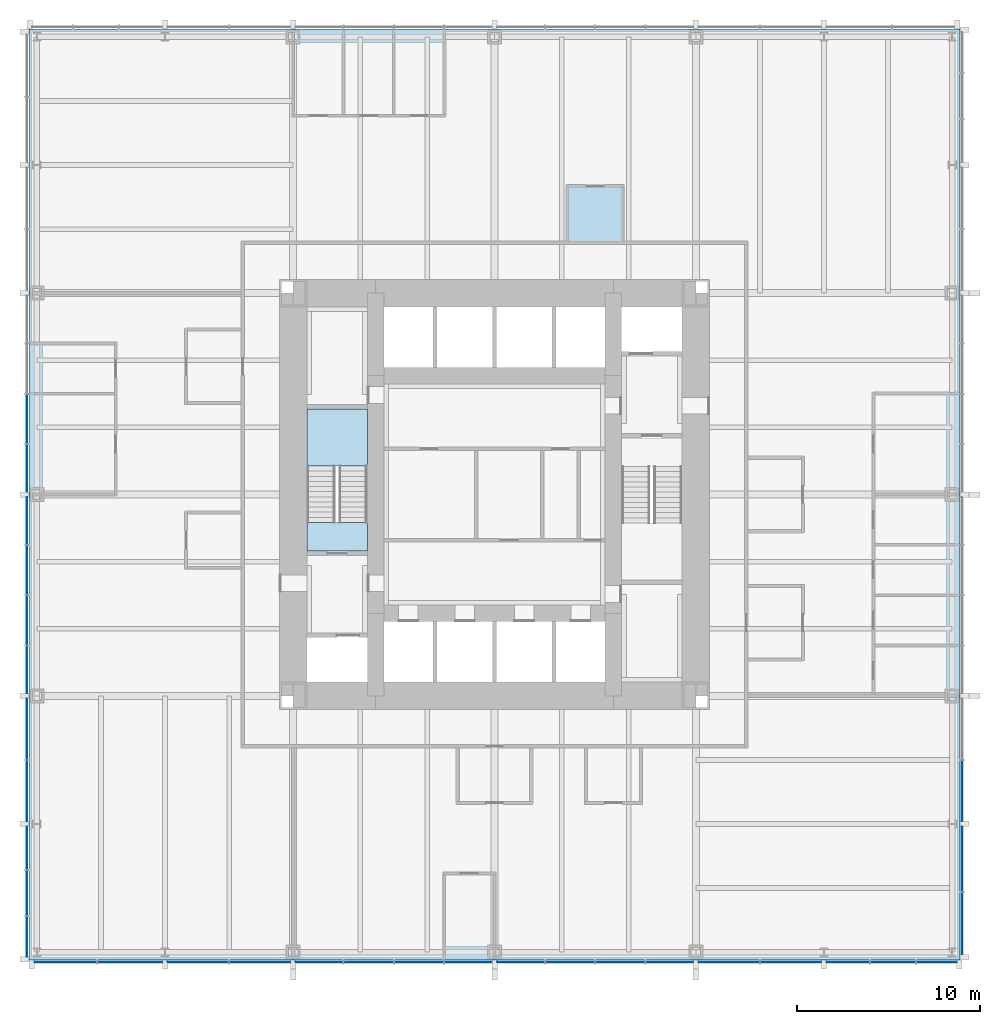
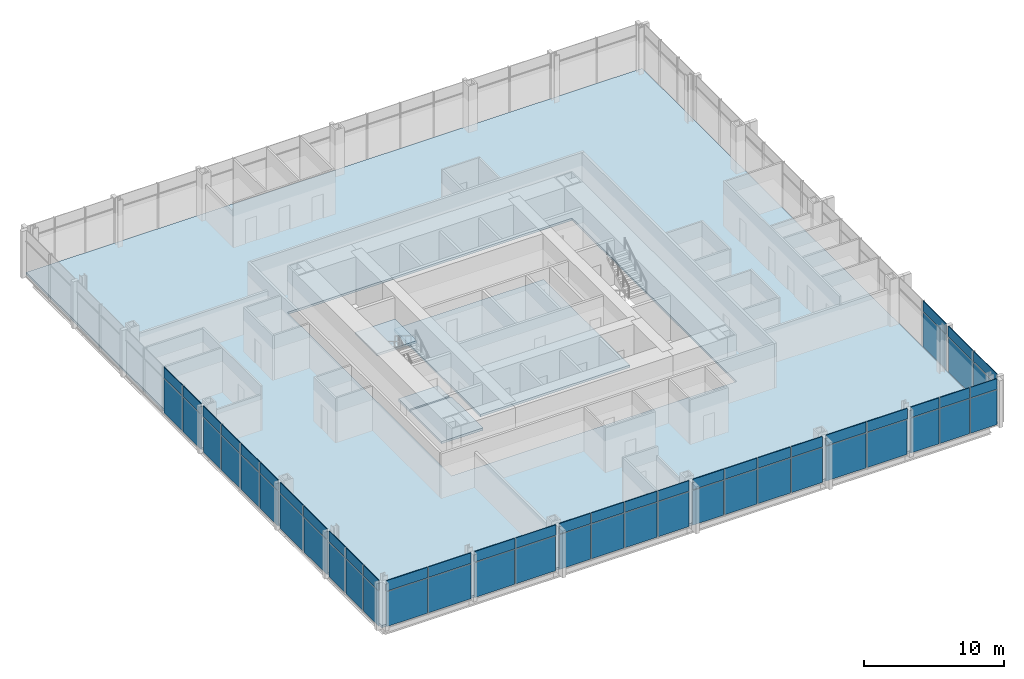
# One storey, part 7 of 12: 62 plates, 5 slabs, 4 elements without a shape of their own.
"""IFC4 building model written with IfcOpenShell, lengths in metres."""

from ifc_helpers import new_model, si_unit, direction, frame, origin, origin_2d, place, context, subcontext, project, spatial, polyline, rectangle, outline, extrude, material, layer, layer_set, type_object, element, aggregate, save


model = new_model("IFC4")

# Units and contexts
model_context = context("Model", 3, precision=1e-05, world=origin(), true_north=direction((0.0, 1.0)))
body_context = subcontext(model_context, "Body", "Model", "MODEL_VIEW")
ifc_project = project(units=[si_unit("LENGTHUNIT", "METRE"), si_unit("AREAUNIT", "SQUARE_METRE"), si_unit("VOLUMEUNIT", "CUBIC_METRE"), si_unit("PLANEANGLEUNIT", "RADIAN"), si_unit("MASSUNIT", "GRAM", prefix="KILO")], contexts=[model_context])

# Site, building, storey
site_placement = place(None, origin())
site = spatial("IfcSite", under=ifc_project, at=site_placement, CompositionType="ELEMENT")
building_placement = place(site_placement, origin())
building = spatial("IfcBuilding", under=site, at=building_placement, Name="Trevanion Tower", CompositionType="ELEMENT")
storey_placement = place(building_placement, frame((0.0, 0.0, 32.39990234375)))
storey = spatial("IfcBuildingStorey", under=building, at=storey_placement, Name="L07", CompositionType="ELEMENT", Elevation=32.39990234375)

# Curtain wall, plates
ifc_material_1 = material(Name="Aluminium and glass", Category="aluminium")
curtain_wall_type = type_object("IfcCurtainWallType", Name="CW1 curtain wall", PredefinedType="USERDEFINED", material=ifc_material_1)
curtain_wall_1_placement = place(storey_placement, origin())
curtain_wall_1 = element("IfcCurtainWall", 1, at=curtain_wall_1_placement, inside=storey, type_object=curtain_wall_type, Name="CW1 L07 0", ObjectType="UNITISED CURTAIN WALL", PredefinedType="USERDEFINED")
ifc_material_2 = material(Name="Aluminium spandrel panel", Category="aluminium")
ifc_layer_1 = layer(ifc_material_2, 0.06005859375)
ifc_layer_set_1 = layer_set([ifc_layer_1], Name="CW1 spandrel panel")
plate_type_1 = type_object("IfcPlateType", Name="CW1 spandrel panel", PredefinedType="CURTAIN_PANEL", material=ifc_layer_set_1)
plate_1_placement = place(storey_placement, frame((25.550048828125, -23.433837890625, 2.99755859375), z_axis=(0.0, 0.0, 1.0), x_axis=(0.0, 1.0, 0.0)))
plate_1 = element("IfcPlate", 2, at=plate_1_placement, type_object=plate_type_1, Name="CW1 panel 1.2", PredefinedType="CURTAIN_PANEL", context=body_context, shape_type="SweptSolid", body=[
    extrude(rectangle(XDim=3.37255859375, YDim=0.06005859375, at=origin_2d()), origin(), (0.0, 0.0, 1.0), 0.91259765625),
])
plate_2_placement = place(storey_placement, frame((25.550048828125, -19.911376953125, 2.99755859375), z_axis=(0.0, 0.0, 1.0), x_axis=(0.0, 1.0, 0.0)))
plate_2 = element("IfcPlate", 3, at=plate_2_placement, type_object=plate_type_1, Name="CW1 panel 2.2", PredefinedType="CURTAIN_PANEL", context=body_context, shape_type="SweptSolid", body=[
    extrude(rectangle(XDim=3.5224609375, YDim=0.06005859375, at=origin_2d()), origin(), (0.0, 0.0, 1.0), 0.91259765625),
])
plate_3_placement = place(storey_placement, frame((25.550048828125, -16.19384765625, 2.99755859375), z_axis=(0.0, 0.0, 1.0), x_axis=(0.0, 1.0, 0.0)))
plate_3 = element("IfcPlate", 4, at=plate_3_placement, type_object=plate_type_1, Name="CW1 panel 3.2", PredefinedType="CURTAIN_PANEL", context=body_context, shape_type="SweptSolid", body=[
    extrude(rectangle(XDim=3.3125, YDim=0.06005859375, at=origin_2d()), origin(), (0.0, 0.0, 1.0), 0.91259765625),
])

curtain_wall_2_placement = place(storey_placement, origin())
curtain_wall_2 = element("IfcCurtainWall", 5, at=curtain_wall_2_placement, inside=storey, type_object=curtain_wall_type, Name="CW1 L07 2", ObjectType="UNITISED CURTAIN WALL", PredefinedType="USERDEFINED")
plate_4_placement = place(storey_placement, frame((-25.550048828125, 4.125, 2.99755859375), z_axis=(0.0, 0.0, 1.0), x_axis=(0.0, -1.0, 0.0)))
plate_4 = element("IfcPlate", 6, at=plate_4_placement, type_object=plate_type_1, Name="CW1 panel 7.2", PredefinedType="CURTAIN_PANEL", context=body_context, shape_type="SweptSolid", body=[
    extrude(rectangle(XDim=2.675048828125, YDim=0.06005859375, at=origin_2d()), origin(), (0.0, 0.0, 1.0), 0.91259765625),
])
plate_5_placement = place(storey_placement, frame((-25.550048828125, 1.43115234375, 2.99755859375), z_axis=(0.0, 0.0, 1.0), x_axis=(0.0, -1.0, 0.0)))
plate_5 = element("IfcPlate", 7, at=plate_5_placement, type_object=plate_type_1, Name="CW1 panel 8.2", PredefinedType="CURTAIN_PANEL", context=body_context, shape_type="SweptSolid", body=[
    extrude(rectangle(XDim=2.5625, YDim=0.06005859375, at=origin_2d()), origin(), (0.0, 0.0, 1.0), 0.91259765625),
])
plate_6_placement = place(storey_placement, frame((-25.550048828125, -1.43115234375, 2.99755859375), z_axis=(0.0, 0.0, 1.0), x_axis=(0.0, -1.0, 0.0)))
plate_6 = element("IfcPlate", 8, at=plate_6_placement, type_object=plate_type_1, Name="CW1 panel 9.2", PredefinedType="CURTAIN_PANEL", context=body_context, shape_type="SweptSolid", body=[
    extrude(rectangle(XDim=2.5625, YDim=0.06005859375, at=origin_2d()), origin(), (0.0, 0.0, 1.0), 0.91259765625),
])
plate_7_placement = place(storey_placement, frame((-25.550048828125, -4.125, 2.99755859375), z_axis=(0.0, 0.0, 1.0), x_axis=(0.0, -1.0, 0.0)))
plate_7 = element("IfcPlate", 9, at=plate_7_placement, type_object=plate_type_1, Name="CW1 panel 10.2", PredefinedType="CURTAIN_PANEL", context=body_context, shape_type="SweptSolid", body=[
    extrude(rectangle(XDim=2.675048828125, YDim=0.06005859375, at=origin_2d()), origin(), (0.0, 0.0, 1.0), 0.91259765625),
])
plate_8_placement = place(storey_placement, frame((-25.550048828125, -6.875, 2.99755859375), z_axis=(0.0, 0.0, 1.0), x_axis=(0.0, -1.0, 0.0)))
plate_8 = element("IfcPlate", 10, at=plate_8_placement, type_object=plate_type_1, Name="CW1 panel 11.2", PredefinedType="CURTAIN_PANEL", context=body_context, shape_type="SweptSolid", body=[
    extrude(rectangle(XDim=2.675048828125, YDim=0.06005859375, at=origin_2d()), origin(), (0.0, 0.0, 1.0), 0.91259765625),
])
plate_9_placement = place(storey_placement, frame((-25.550048828125, -9.56884765625, 2.99755859375), z_axis=(0.0, 0.0, 1.0), x_axis=(0.0, -1.0, 0.0)))
plate_9 = element("IfcPlate", 11, at=plate_9_placement, type_object=plate_type_1, Name="CW1 panel 12.2", PredefinedType="CURTAIN_PANEL", context=body_context, shape_type="SweptSolid", body=[
    extrude(rectangle(XDim=2.5625, YDim=0.06005859375, at=origin_2d()), origin(), (0.0, 0.0, 1.0), 0.91259765625),
])
plate_10_placement = place(storey_placement, frame((-25.550048828125, -12.80615234375, 2.99755859375), z_axis=(0.0, 0.0, 1.0), x_axis=(0.0, -1.0, 0.0)))
plate_10 = element("IfcPlate", 12, at=plate_10_placement, type_object=plate_type_1, Name="CW1 panel 13.2", PredefinedType="CURTAIN_PANEL", context=body_context, shape_type="SweptSolid", body=[
    extrude(rectangle(XDim=3.3125, YDim=0.06005859375, at=origin_2d()), origin(), (0.0, 0.0, 1.0), 0.91259765625),
])
plate_11_placement = place(storey_placement, frame((-25.550048828125, -16.19384765625, 2.99755859375), z_axis=(0.0, 0.0, 1.0), x_axis=(0.0, -1.0, 0.0)))
plate_11 = element("IfcPlate", 13, at=plate_11_placement, type_object=plate_type_1, Name="CW1 panel 14.2", PredefinedType="CURTAIN_PANEL", context=body_context, shape_type="SweptSolid", body=[
    extrude(rectangle(XDim=3.3125, YDim=0.06005859375, at=origin_2d()), origin(), (0.0, 0.0, 1.0), 0.91259765625),
])
plate_12_placement = place(storey_placement, frame((-25.550048828125, -19.314697265625, 2.99755859375), z_axis=(0.0, 0.0, 1.0), x_axis=(0.0, -1.0, 0.0)))
plate_12 = element("IfcPlate", 14, at=plate_12_placement, type_object=plate_type_1, Name="CW1 panel 15.2", PredefinedType="CURTAIN_PANEL", context=body_context, shape_type="SweptSolid", body=[
    extrude(rectangle(XDim=2.3291015625, YDim=0.06005859375, at=origin_2d()), origin(), (0.0, 0.0, 1.0), 0.91259765625),
])
plate_13_placement = place(storey_placement, frame((-25.550048828125, -21.77490234375, 2.99755859375), z_axis=(0.0, 0.0, 1.0), x_axis=(0.0, -1.0, 0.0)))
plate_13 = element("IfcPlate", 15, at=plate_13_placement, type_object=plate_type_1, Name="CW1 panel 16.2", PredefinedType="CURTAIN_PANEL", context=body_context, shape_type="SweptSolid", body=[
    extrude(rectangle(XDim=2.441650390625, YDim=0.06005859375, at=origin_2d()), origin(), (0.0, 0.0, 1.0), 0.91259765625),
])
plate_14_placement = place(storey_placement, frame((-25.550048828125, -24.160400390625, 2.99755859375), z_axis=(0.0, 0.0, 1.0), x_axis=(0.0, -1.0, 0.0)))
plate_14 = element("IfcPlate", 16, at=plate_14_placement, type_object=plate_type_1, Name="CW1 panel 17.2", PredefinedType="CURTAIN_PANEL", context=body_context, shape_type="SweptSolid", body=[
    extrude(rectangle(XDim=2.17919921875, YDim=0.06005859375, at=origin_2d()), origin(), (0.0, 0.0, 1.0), 0.91259765625),
])

curtain_wall_3_placement = place(storey_placement, origin())
curtain_wall_3 = element("IfcCurtainWall", 17, at=curtain_wall_3_placement, inside=storey, type_object=curtain_wall_type, Name="CW1 L07 3", ObjectType="UNITISED CURTAIN WALL", PredefinedType="USERDEFINED")
plate_15_placement = place(storey_placement, frame((-23.433837890625, -25.550048828125, 2.99755859375), z_axis=(0.0, 0.0, 1.0), x_axis=(1.0, 0.0, 0.0)))
plate_15 = element("IfcPlate", 18, at=plate_15_placement, type_object=plate_type_1, Name="CW1 panel 1.2", PredefinedType="CURTAIN_PANEL", context=body_context, shape_type="SweptSolid", body=[
    extrude(rectangle(XDim=3.37255859375, YDim=0.06005859375, at=origin_2d()), origin(), (0.0, 0.0, 1.0), 0.91259765625),
])
plate_16_placement = place(storey_placement, frame((-19.911376953125, -25.550048828125, 2.99755859375), z_axis=(0.0, 0.0, 1.0), x_axis=(1.0, 0.0, 0.0)))
plate_16 = element("IfcPlate", 19, at=plate_16_placement, type_object=plate_type_1, Name="CW1 panel 2.2", PredefinedType="CURTAIN_PANEL", context=body_context, shape_type="SweptSolid", body=[
    extrude(rectangle(XDim=3.5224609375, YDim=0.06005859375, at=origin_2d()), origin(), (0.0, 0.0, 1.0), 0.91259765625),
])
plate_17_placement = place(storey_placement, frame((-16.19384765625, -25.550048828125, 2.99755859375), z_axis=(0.0, 0.0, 1.0), x_axis=(1.0, 0.0, 0.0)))
plate_17 = element("IfcPlate", 20, at=plate_17_placement, type_object=plate_type_1, Name="CW1 panel 3.2", PredefinedType="CURTAIN_PANEL", context=body_context, shape_type="SweptSolid", body=[
    extrude(rectangle(XDim=3.3125, YDim=0.06005859375, at=origin_2d()), origin(), (0.0, 0.0, 1.0), 0.91259765625),
])
plate_18_placement = place(storey_placement, frame((-12.806396484375, -25.550048828125, 2.99755859375), z_axis=(0.0, 0.0, 1.0), x_axis=(1.0, 0.0, 0.0)))
plate_18 = element("IfcPlate", 21, at=plate_18_placement, type_object=plate_type_1, Name="CW1 panel 4.2", PredefinedType="CURTAIN_PANEL", context=body_context, shape_type="SweptSolid", body=[
    extrude(rectangle(XDim=3.3125, YDim=0.06005859375, at=origin_2d()), origin(), (0.0, 0.0, 1.0), 0.91259765625),
])
plate_19_placement = place(storey_placement, frame((-9.56884765625, -25.550048828125, 2.99755859375), z_axis=(0.0, 0.0, 1.0), x_axis=(1.0, 0.0, 0.0)))
plate_19 = element("IfcPlate", 22, at=plate_19_placement, type_object=plate_type_1, Name="CW1 panel 5.2", PredefinedType="CURTAIN_PANEL", context=body_context, shape_type="SweptSolid", body=[
    extrude(rectangle(XDim=2.5625, YDim=0.06005859375, at=origin_2d()), origin(), (0.0, 0.0, 1.0), 0.91259765625),
])
plate_20_placement = place(storey_placement, frame((-6.875, -25.550048828125, 2.99755859375), z_axis=(0.0, 0.0, 1.0), x_axis=(1.0, 0.0, 0.0)))
plate_20 = element("IfcPlate", 23, at=plate_20_placement, type_object=plate_type_1, Name="CW1 panel 6.2", PredefinedType="CURTAIN_PANEL", context=body_context, shape_type="SweptSolid", body=[
    extrude(rectangle(XDim=2.675048828125, YDim=0.06005859375, at=origin_2d()), origin(), (0.0, 0.0, 1.0), 0.91259765625),
])
plate_21_placement = place(storey_placement, frame((-4.125, -25.550048828125, 2.99755859375), z_axis=(0.0, 0.0, 1.0), x_axis=(1.0, 0.0, 0.0)))
plate_21 = element("IfcPlate", 24, at=plate_21_placement, type_object=plate_type_1, Name="CW1 panel 7.2", PredefinedType="CURTAIN_PANEL", context=body_context, shape_type="SweptSolid", body=[
    extrude(rectangle(XDim=2.675048828125, YDim=0.06005859375, at=origin_2d()), origin(), (0.0, 0.0, 1.0), 0.91259765625),
])
plate_22_placement = place(storey_placement, frame((-1.43115234375, -25.550048828125, 2.99755859375), z_axis=(0.0, 0.0, 1.0), x_axis=(1.0, 0.0, 0.0)))
plate_22 = element("IfcPlate", 25, at=plate_22_placement, type_object=plate_type_1, Name="CW1 panel 8.2", PredefinedType="CURTAIN_PANEL", context=body_context, shape_type="SweptSolid", body=[
    extrude(rectangle(XDim=2.5625, YDim=0.06005859375, at=origin_2d()), origin(), (0.0, 0.0, 1.0), 0.91259765625),
])
plate_23_placement = place(storey_placement, frame((1.43115234375, -25.550048828125, 2.99755859375), z_axis=(0.0, 0.0, 1.0), x_axis=(1.0, 0.0, 0.0)))
plate_23 = element("IfcPlate", 26, at=plate_23_placement, type_object=plate_type_1, Name="CW1 panel 9.2", PredefinedType="CURTAIN_PANEL", context=body_context, shape_type="SweptSolid", body=[
    extrude(rectangle(XDim=2.5625, YDim=0.06005859375, at=origin_2d()), origin(), (0.0, 0.0, 1.0), 0.91259765625),
])
plate_24_placement = place(storey_placement, frame((4.125, -25.550048828125, 2.99755859375), z_axis=(0.0, 0.0, 1.0), x_axis=(1.0, 0.0, 0.0)))
plate_24 = element("IfcPlate", 27, at=plate_24_placement, type_object=plate_type_1, Name="CW1 panel 10.2", PredefinedType="CURTAIN_PANEL", context=body_context, shape_type="SweptSolid", body=[
    extrude(rectangle(XDim=2.675048828125, YDim=0.06005859375, at=origin_2d()), origin(), (0.0, 0.0, 1.0), 0.91259765625),
])
plate_25_placement = place(storey_placement, frame((6.875, -25.550048828125, 2.99755859375), z_axis=(0.0, 0.0, 1.0), x_axis=(1.0, 0.0, 0.0)))
plate_25 = element("IfcPlate", 28, at=plate_25_placement, type_object=plate_type_1, Name="CW1 panel 11.2", PredefinedType="CURTAIN_PANEL", context=body_context, shape_type="SweptSolid", body=[
    extrude(rectangle(XDim=2.675048828125, YDim=0.06005859375, at=origin_2d()), origin(), (0.0, 0.0, 1.0), 0.91259765625),
])
plate_26_placement = place(storey_placement, frame((9.56884765625, -25.550048828125, 2.99755859375), z_axis=(0.0, 0.0, 1.0), x_axis=(1.0, 0.0, 0.0)))
plate_26 = element("IfcPlate", 29, at=plate_26_placement, type_object=plate_type_1, Name="CW1 panel 12.2", PredefinedType="CURTAIN_PANEL", context=body_context, shape_type="SweptSolid", body=[
    extrude(rectangle(XDim=2.5625, YDim=0.06005859375, at=origin_2d()), origin(), (0.0, 0.0, 1.0), 0.91259765625),
])
plate_27_placement = place(storey_placement, frame((12.80615234375, -25.550048828125, 2.99755859375), z_axis=(0.0, 0.0, 1.0), x_axis=(1.0, 0.0, 0.0)))
plate_27 = element("IfcPlate", 30, at=plate_27_placement, type_object=plate_type_1, Name="CW1 panel 13.2", PredefinedType="CURTAIN_PANEL", context=body_context, shape_type="SweptSolid", body=[
    extrude(rectangle(XDim=3.3125, YDim=0.06005859375, at=origin_2d()), origin(), (0.0, 0.0, 1.0), 0.91259765625),
])
plate_28_placement = place(storey_placement, frame((16.19384765625, -25.550048828125, 2.99755859375), z_axis=(0.0, 0.0, 1.0), x_axis=(1.0, 0.0, 0.0)))
plate_28 = element("IfcPlate", 31, at=plate_28_placement, type_object=plate_type_1, Name="CW1 panel 14.2", PredefinedType="CURTAIN_PANEL", context=body_context, shape_type="SweptSolid", body=[
    extrude(rectangle(XDim=3.3125, YDim=0.06005859375, at=origin_2d()), origin(), (0.0, 0.0, 1.0), 0.91259765625),
])
plate_29_placement = place(storey_placement, frame((19.314697265625, -25.550048828125, 2.99755859375), z_axis=(0.0, 0.0, 1.0), x_axis=(1.0, 0.0, 0.0)))
plate_29 = element("IfcPlate", 32, at=plate_29_placement, type_object=plate_type_1, Name="CW1 panel 15.2", PredefinedType="CURTAIN_PANEL", context=body_context, shape_type="SweptSolid", body=[
    extrude(rectangle(XDim=2.3291015625, YDim=0.06005859375, at=origin_2d()), origin(), (0.0, 0.0, 1.0), 0.91259765625),
])
plate_30_placement = place(storey_placement, frame((21.77490234375, -25.550048828125, 2.99755859375), z_axis=(0.0, 0.0, 1.0), x_axis=(1.0, 0.0, 0.0)))
plate_30 = element("IfcPlate", 33, at=plate_30_placement, type_object=plate_type_1, Name="CW1 panel 16.2", PredefinedType="CURTAIN_PANEL", context=body_context, shape_type="SweptSolid", body=[
    extrude(rectangle(XDim=2.441650390625, YDim=0.06005859375, at=origin_2d()), origin(), (0.0, 0.0, 1.0), 0.91259765625),
])
plate_31_placement = place(storey_placement, frame((24.160400390625, -25.550048828125, 2.99755859375), z_axis=(0.0, 0.0, 1.0), x_axis=(1.0, 0.0, 0.0)))
plate_31 = element("IfcPlate", 34, at=plate_31_placement, type_object=plate_type_1, Name="CW1 panel 17.2", PredefinedType="CURTAIN_PANEL", context=body_context, shape_type="SweptSolid", body=[
    extrude(rectangle(XDim=2.17919921875, YDim=0.06005859375, at=origin_2d()), origin(), (0.0, 0.0, 1.0), 0.91259765625),
])

# Plate
ifc_material_3 = material(Name="Insulating glass unit", Category="glass")
ifc_layer_2 = layer(ifc_material_3, 0.028076171875)
ifc_layer_set_2 = layer_set([ifc_layer_2], Name="CW1 vision panel")
plate_type_2 = type_object("IfcPlateType", Name="CW1 vision panel", PredefinedType="CURTAIN_PANEL", material=ifc_layer_set_2)
plate_32_placement = place(storey_placement, frame((25.550048828125, -23.433837890625, -0.114990234375), z_axis=(0.0, 0.0, 1.0), x_axis=(0.0, 1.0, 0.0)))
plate_32 = element("IfcPlate", 35, at=plate_32_placement, type_object=plate_type_2, Name="CW1 panel 1.1", PredefinedType="CURTAIN_PANEL", context=body_context, shape_type="SweptSolid", body=[
    extrude(rectangle(XDim=3.37255859375, YDim=0.028076171875, at=origin_2d()), origin(), (0.0, 0.0, 1.0), 3.03759765625),
])

plate_33_placement = place(storey_placement, frame((25.550048828125, -19.911376953125, -0.114990234375), z_axis=(0.0, 0.0, 1.0), x_axis=(0.0, 1.0, 0.0)))
plate_33 = element("IfcPlate", 36, at=plate_33_placement, type_object=plate_type_2, Name="CW1 panel 2.1", PredefinedType="CURTAIN_PANEL", context=body_context, shape_type="SweptSolid", body=[
    extrude(rectangle(XDim=3.5224609375, YDim=0.028076171875, at=origin_2d()), origin(), (0.0, 0.0, 1.0), 3.03759765625),
])

plate_34_placement = place(storey_placement, frame((25.550048828125, -16.19384765625, -0.114990234375), z_axis=(0.0, 0.0, 1.0), x_axis=(0.0, 1.0, 0.0)))
plate_34 = element("IfcPlate", 37, at=plate_34_placement, type_object=plate_type_2, Name="CW1 panel 3.1", PredefinedType="CURTAIN_PANEL", context=body_context, shape_type="SweptSolid", body=[
    extrude(rectangle(XDim=3.3125, YDim=0.028076171875, at=origin_2d()), origin(), (0.0, 0.0, 1.0), 3.03759765625),
])

aggregate(curtain_wall_1, [plate_32, plate_1, plate_33, plate_2, plate_34, plate_3])

plate_35_placement = place(storey_placement, frame((-25.550048828125, 4.125, -0.114990234375), z_axis=(0.0, 0.0, 1.0), x_axis=(0.0, -1.0, 0.0)))
plate_35 = element("IfcPlate", 38, at=plate_35_placement, type_object=plate_type_2, Name="CW1 panel 7.1", PredefinedType="CURTAIN_PANEL", context=body_context, shape_type="SweptSolid", body=[
    extrude(rectangle(XDim=2.675048828125, YDim=0.028076171875, at=origin_2d()), origin(), (0.0, 0.0, 1.0), 3.03759765625),
])

plate_36_placement = place(storey_placement, frame((-25.550048828125, 1.43115234375, -0.114990234375), z_axis=(0.0, 0.0, 1.0), x_axis=(0.0, -1.0, 0.0)))
plate_36 = element("IfcPlate", 39, at=plate_36_placement, type_object=plate_type_2, Name="CW1 panel 8.1", PredefinedType="CURTAIN_PANEL", context=body_context, shape_type="SweptSolid", body=[
    extrude(rectangle(XDim=2.5625, YDim=0.028076171875, at=origin_2d()), origin(), (0.0, 0.0, 1.0), 3.03759765625),
])

plate_37_placement = place(storey_placement, frame((-25.550048828125, -1.43115234375, -0.114990234375), z_axis=(0.0, 0.0, 1.0), x_axis=(0.0, -1.0, 0.0)))
plate_37 = element("IfcPlate", 40, at=plate_37_placement, type_object=plate_type_2, Name="CW1 panel 9.1", PredefinedType="CURTAIN_PANEL", context=body_context, shape_type="SweptSolid", body=[
    extrude(rectangle(XDim=2.5625, YDim=0.028076171875, at=origin_2d()), origin(), (0.0, 0.0, 1.0), 3.03759765625),
])

plate_38_placement = place(storey_placement, frame((-25.550048828125, -4.125, -0.114990234375), z_axis=(0.0, 0.0, 1.0), x_axis=(0.0, -1.0, 0.0)))
plate_38 = element("IfcPlate", 41, at=plate_38_placement, type_object=plate_type_2, Name="CW1 panel 10.1", PredefinedType="CURTAIN_PANEL", context=body_context, shape_type="SweptSolid", body=[
    extrude(rectangle(XDim=2.675048828125, YDim=0.028076171875, at=origin_2d()), origin(), (0.0, 0.0, 1.0), 3.03759765625),
])

plate_39_placement = place(storey_placement, frame((-25.550048828125, -6.875, -0.114990234375), z_axis=(0.0, 0.0, 1.0), x_axis=(0.0, -1.0, 0.0)))
plate_39 = element("IfcPlate", 42, at=plate_39_placement, type_object=plate_type_2, Name="CW1 panel 11.1", PredefinedType="CURTAIN_PANEL", context=body_context, shape_type="SweptSolid", body=[
    extrude(rectangle(XDim=2.675048828125, YDim=0.028076171875, at=origin_2d()), origin(), (0.0, 0.0, 1.0), 3.03759765625),
])

plate_40_placement = place(storey_placement, frame((-25.550048828125, -9.56884765625, -0.114990234375), z_axis=(0.0, 0.0, 1.0), x_axis=(0.0, -1.0, 0.0)))
plate_40 = element("IfcPlate", 43, at=plate_40_placement, type_object=plate_type_2, Name="CW1 panel 12.1", PredefinedType="CURTAIN_PANEL", context=body_context, shape_type="SweptSolid", body=[
    extrude(rectangle(XDim=2.5625, YDim=0.028076171875, at=origin_2d()), origin(), (0.0, 0.0, 1.0), 3.03759765625),
])

plate_41_placement = place(storey_placement, frame((-25.550048828125, -12.80615234375, -0.114990234375), z_axis=(0.0, 0.0, 1.0), x_axis=(0.0, -1.0, 0.0)))
plate_41 = element("IfcPlate", 44, at=plate_41_placement, type_object=plate_type_2, Name="CW1 panel 13.1", PredefinedType="CURTAIN_PANEL", context=body_context, shape_type="SweptSolid", body=[
    extrude(rectangle(XDim=3.3125, YDim=0.028076171875, at=origin_2d()), origin(), (0.0, 0.0, 1.0), 3.03759765625),
])

plate_42_placement = place(storey_placement, frame((-25.550048828125, -16.19384765625, -0.114990234375), z_axis=(0.0, 0.0, 1.0), x_axis=(0.0, -1.0, 0.0)))
plate_42 = element("IfcPlate", 45, at=plate_42_placement, type_object=plate_type_2, Name="CW1 panel 14.1", PredefinedType="CURTAIN_PANEL", context=body_context, shape_type="SweptSolid", body=[
    extrude(rectangle(XDim=3.3125, YDim=0.028076171875, at=origin_2d()), origin(), (0.0, 0.0, 1.0), 3.03759765625),
])

plate_43_placement = place(storey_placement, frame((-25.550048828125, -19.314697265625, -0.114990234375), z_axis=(0.0, 0.0, 1.0), x_axis=(0.0, -1.0, 0.0)))
plate_43 = element("IfcPlate", 46, at=plate_43_placement, type_object=plate_type_2, Name="CW1 panel 15.1", PredefinedType="CURTAIN_PANEL", context=body_context, shape_type="SweptSolid", body=[
    extrude(rectangle(XDim=2.3291015625, YDim=0.028076171875, at=origin_2d()), origin(), (0.0, 0.0, 1.0), 3.03759765625),
])

plate_44_placement = place(storey_placement, frame((-25.550048828125, -21.77490234375, -0.114990234375), z_axis=(0.0, 0.0, 1.0), x_axis=(0.0, -1.0, 0.0)))
plate_44 = element("IfcPlate", 47, at=plate_44_placement, type_object=plate_type_2, Name="CW1 panel 16.1", PredefinedType="CURTAIN_PANEL", context=body_context, shape_type="SweptSolid", body=[
    extrude(rectangle(XDim=2.441650390625, YDim=0.028076171875, at=origin_2d()), origin(), (0.0, 0.0, 1.0), 3.03759765625),
])

plate_45_placement = place(storey_placement, frame((-25.550048828125, -24.160400390625, -0.114990234375), z_axis=(0.0, 0.0, 1.0), x_axis=(0.0, -1.0, 0.0)))
plate_45 = element("IfcPlate", 48, at=plate_45_placement, type_object=plate_type_2, Name="CW1 panel 17.1", PredefinedType="CURTAIN_PANEL", context=body_context, shape_type="SweptSolid", body=[
    extrude(rectangle(XDim=2.17919921875, YDim=0.028076171875, at=origin_2d()), origin(), (0.0, 0.0, 1.0), 3.03759765625),
])

aggregate(curtain_wall_2, [plate_35, plate_4, plate_36, plate_5, plate_37, plate_6, plate_38, plate_7, plate_39, plate_8, plate_40, plate_9, plate_41, plate_10, plate_42, plate_11, plate_43, plate_12, plate_44, plate_13, plate_45, plate_14])

plate_46_placement = place(storey_placement, frame((-23.433837890625, -25.550048828125, -0.114990234375), z_axis=(0.0, 0.0, 1.0), x_axis=(1.0, 0.0, 0.0)))
plate_46 = element("IfcPlate", 49, at=plate_46_placement, type_object=plate_type_2, Name="CW1 panel 1.1", PredefinedType="CURTAIN_PANEL", context=body_context, shape_type="SweptSolid", body=[
    extrude(rectangle(XDim=3.37255859375, YDim=0.028076171875, at=origin_2d()), origin(), (0.0, 0.0, 1.0), 3.03759765625),
])

plate_47_placement = place(storey_placement, frame((-19.911376953125, -25.550048828125, -0.114990234375), z_axis=(0.0, 0.0, 1.0), x_axis=(1.0, 0.0, 0.0)))
plate_47 = element("IfcPlate", 50, at=plate_47_placement, type_object=plate_type_2, Name="CW1 panel 2.1", PredefinedType="CURTAIN_PANEL", context=body_context, shape_type="SweptSolid", body=[
    extrude(rectangle(XDim=3.5224609375, YDim=0.028076171875, at=origin_2d()), origin(), (0.0, 0.0, 1.0), 3.03759765625),
])

plate_48_placement = place(storey_placement, frame((-16.19384765625, -25.550048828125, -0.114990234375), z_axis=(0.0, 0.0, 1.0), x_axis=(1.0, 0.0, 0.0)))
plate_48 = element("IfcPlate", 51, at=plate_48_placement, type_object=plate_type_2, Name="CW1 panel 3.1", PredefinedType="CURTAIN_PANEL", context=body_context, shape_type="SweptSolid", body=[
    extrude(rectangle(XDim=3.3125, YDim=0.028076171875, at=origin_2d()), origin(), (0.0, 0.0, 1.0), 3.03759765625),
])

plate_49_placement = place(storey_placement, frame((-12.806396484375, -25.550048828125, -0.114990234375), z_axis=(0.0, 0.0, 1.0), x_axis=(1.0, 0.0, 0.0)))
plate_49 = element("IfcPlate", 52, at=plate_49_placement, type_object=plate_type_2, Name="CW1 panel 4.1", PredefinedType="CURTAIN_PANEL", context=body_context, shape_type="SweptSolid", body=[
    extrude(rectangle(XDim=3.3125, YDim=0.028076171875, at=origin_2d()), origin(), (0.0, 0.0, 1.0), 3.03759765625),
])

plate_50_placement = place(storey_placement, frame((-9.56884765625, -25.550048828125, -0.114990234375), z_axis=(0.0, 0.0, 1.0), x_axis=(1.0, 0.0, 0.0)))
plate_50 = element("IfcPlate", 53, at=plate_50_placement, type_object=plate_type_2, Name="CW1 panel 5.1", PredefinedType="CURTAIN_PANEL", context=body_context, shape_type="SweptSolid", body=[
    extrude(rectangle(XDim=2.5625, YDim=0.028076171875, at=origin_2d()), origin(), (0.0, 0.0, 1.0), 3.03759765625),
])

plate_51_placement = place(storey_placement, frame((-6.875, -25.550048828125, -0.114990234375), z_axis=(0.0, 0.0, 1.0), x_axis=(1.0, 0.0, 0.0)))
plate_51 = element("IfcPlate", 54, at=plate_51_placement, type_object=plate_type_2, Name="CW1 panel 6.1", PredefinedType="CURTAIN_PANEL", context=body_context, shape_type="SweptSolid", body=[
    extrude(rectangle(XDim=2.675048828125, YDim=0.028076171875, at=origin_2d()), origin(), (0.0, 0.0, 1.0), 3.03759765625),
])

plate_52_placement = place(storey_placement, frame((-4.125, -25.550048828125, -0.114990234375), z_axis=(0.0, 0.0, 1.0), x_axis=(1.0, 0.0, 0.0)))
plate_52 = element("IfcPlate", 55, at=plate_52_placement, type_object=plate_type_2, Name="CW1 panel 7.1", PredefinedType="CURTAIN_PANEL", context=body_context, shape_type="SweptSolid", body=[
    extrude(rectangle(XDim=2.675048828125, YDim=0.028076171875, at=origin_2d()), origin(), (0.0, 0.0, 1.0), 3.03759765625),
])

plate_53_placement = place(storey_placement, frame((-1.43115234375, -25.550048828125, -0.114990234375), z_axis=(0.0, 0.0, 1.0), x_axis=(1.0, 0.0, 0.0)))
plate_53 = element("IfcPlate", 56, at=plate_53_placement, type_object=plate_type_2, Name="CW1 panel 8.1", PredefinedType="CURTAIN_PANEL", context=body_context, shape_type="SweptSolid", body=[
    extrude(rectangle(XDim=2.5625, YDim=0.028076171875, at=origin_2d()), origin(), (0.0, 0.0, 1.0), 3.03759765625),
])

plate_54_placement = place(storey_placement, frame((1.43115234375, -25.550048828125, -0.114990234375), z_axis=(0.0, 0.0, 1.0), x_axis=(1.0, 0.0, 0.0)))
plate_54 = element("IfcPlate", 57, at=plate_54_placement, type_object=plate_type_2, Name="CW1 panel 9.1", PredefinedType="CURTAIN_PANEL", context=body_context, shape_type="SweptSolid", body=[
    extrude(rectangle(XDim=2.5625, YDim=0.028076171875, at=origin_2d()), origin(), (0.0, 0.0, 1.0), 3.03759765625),
])

plate_55_placement = place(storey_placement, frame((4.125, -25.550048828125, -0.114990234375), z_axis=(0.0, 0.0, 1.0), x_axis=(1.0, 0.0, 0.0)))
plate_55 = element("IfcPlate", 58, at=plate_55_placement, type_object=plate_type_2, Name="CW1 panel 10.1", PredefinedType="CURTAIN_PANEL", context=body_context, shape_type="SweptSolid", body=[
    extrude(rectangle(XDim=2.675048828125, YDim=0.028076171875, at=origin_2d()), origin(), (0.0, 0.0, 1.0), 3.03759765625),
])

plate_56_placement = place(storey_placement, frame((6.875, -25.550048828125, -0.114990234375), z_axis=(0.0, 0.0, 1.0), x_axis=(1.0, 0.0, 0.0)))
plate_56 = element("IfcPlate", 59, at=plate_56_placement, type_object=plate_type_2, Name="CW1 panel 11.1", PredefinedType="CURTAIN_PANEL", context=body_context, shape_type="SweptSolid", body=[
    extrude(rectangle(XDim=2.675048828125, YDim=0.028076171875, at=origin_2d()), origin(), (0.0, 0.0, 1.0), 3.03759765625),
])

plate_57_placement = place(storey_placement, frame((9.56884765625, -25.550048828125, -0.114990234375), z_axis=(0.0, 0.0, 1.0), x_axis=(1.0, 0.0, 0.0)))
plate_57 = element("IfcPlate", 60, at=plate_57_placement, type_object=plate_type_2, Name="CW1 panel 12.1", PredefinedType="CURTAIN_PANEL", context=body_context, shape_type="SweptSolid", body=[
    extrude(rectangle(XDim=2.5625, YDim=0.028076171875, at=origin_2d()), origin(), (0.0, 0.0, 1.0), 3.03759765625),
])

plate_58_placement = place(storey_placement, frame((12.80615234375, -25.550048828125, -0.114990234375), z_axis=(0.0, 0.0, 1.0), x_axis=(1.0, 0.0, 0.0)))
plate_58 = element("IfcPlate", 61, at=plate_58_placement, type_object=plate_type_2, Name="CW1 panel 13.1", PredefinedType="CURTAIN_PANEL", context=body_context, shape_type="SweptSolid", body=[
    extrude(rectangle(XDim=3.3125, YDim=0.028076171875, at=origin_2d()), origin(), (0.0, 0.0, 1.0), 3.03759765625),
])

plate_59_placement = place(storey_placement, frame((16.19384765625, -25.550048828125, -0.114990234375), z_axis=(0.0, 0.0, 1.0), x_axis=(1.0, 0.0, 0.0)))
plate_59 = element("IfcPlate", 62, at=plate_59_placement, type_object=plate_type_2, Name="CW1 panel 14.1", PredefinedType="CURTAIN_PANEL", context=body_context, shape_type="SweptSolid", body=[
    extrude(rectangle(XDim=3.3125, YDim=0.028076171875, at=origin_2d()), origin(), (0.0, 0.0, 1.0), 3.03759765625),
])

plate_60_placement = place(storey_placement, frame((19.314697265625, -25.550048828125, -0.114990234375), z_axis=(0.0, 0.0, 1.0), x_axis=(1.0, 0.0, 0.0)))
plate_60 = element("IfcPlate", 63, at=plate_60_placement, type_object=plate_type_2, Name="CW1 panel 15.1", PredefinedType="CURTAIN_PANEL", context=body_context, shape_type="SweptSolid", body=[
    extrude(rectangle(XDim=2.3291015625, YDim=0.028076171875, at=origin_2d()), origin(), (0.0, 0.0, 1.0), 3.03759765625),
])

plate_61_placement = place(storey_placement, frame((21.77490234375, -25.550048828125, -0.114990234375), z_axis=(0.0, 0.0, 1.0), x_axis=(1.0, 0.0, 0.0)))
plate_61 = element("IfcPlate", 64, at=plate_61_placement, type_object=plate_type_2, Name="CW1 panel 16.1", PredefinedType="CURTAIN_PANEL", context=body_context, shape_type="SweptSolid", body=[
    extrude(rectangle(XDim=2.441650390625, YDim=0.028076171875, at=origin_2d()), origin(), (0.0, 0.0, 1.0), 3.03759765625),
])

plate_62_placement = place(storey_placement, frame((24.160400390625, -25.550048828125, -0.114990234375), z_axis=(0.0, 0.0, 1.0), x_axis=(1.0, 0.0, 0.0)))
plate_62 = element("IfcPlate", 65, at=plate_62_placement, type_object=plate_type_2, Name="CW1 panel 17.1", PredefinedType="CURTAIN_PANEL", context=body_context, shape_type="SweptSolid", body=[
    extrude(rectangle(XDim=2.17919921875, YDim=0.028076171875, at=origin_2d()), origin(), (0.0, 0.0, 1.0), 3.03759765625),
])

aggregate(curtain_wall_3, [plate_46, plate_15, plate_47, plate_16, plate_48, plate_17, plate_49, plate_18, plate_50, plate_19, plate_51, plate_20, plate_52, plate_21, plate_53, plate_22, plate_54, plate_23, plate_55, plate_24, plate_56, plate_25, plate_57, plate_26, plate_58, plate_27, plate_59, plate_28, plate_60, plate_29, plate_61, plate_30, plate_62, plate_31])

# Slabs
ifc_material_4 = material(Name="Concrete 5,000 psi on composite metal deck", Category="concrete")
ifc_layer_3 = layer(ifc_material_4, 0.18994140625)
ifc_layer_set_3 = layer_set([ifc_layer_3], Name="SL1 composite floor 190")
slab_type_1 = type_object("IfcSlabType", Name="SL1 composite floor 190", PredefinedType="FLOOR", material=ifc_layer_set_3)
slab_1_placement = place(storey_placement, frame((0.0, 0.0, -0.18994140625)))
element("IfcSlab", 66, at=slab_1_placement, inside=storey, type_object=slab_type_1, Name="SL1 L07 floor", PredefinedType="FLOOR", context=body_context, shape_type="SweptSolid", body=[
    extrude(outline(polyline([(25.419921875, -25.419921875), (25.419921875, 25.419921875), (-25.419921875, 25.419921875), (-25.419921875, -25.419921875), (25.419921875, -25.419921875)]), holes=[polyline([(11.75, -11.75), (11.75, 11.75), (-11.75, 11.75), (-11.75, -11.75), (11.75, -11.75)])]), origin(), (0.0, 0.0, 1.0), 0.18994140625),
])
ifc_material_5 = material(Name="Concrete 5,000 psi", Category="concrete")
ifc_layer_4 = layer(ifc_material_5, 0.199951171875)
ifc_layer_set_4 = layer_set([ifc_layer_4], Name="SL2 core floor 200")
slab_type_2 = type_object("IfcSlabType", Name="SL2 core floor 200", PredefinedType="FLOOR", material=ifc_layer_set_4)
slab_2_placement = place(storey_placement, frame((0.0, 0.0, -0.199951171875)))
element("IfcSlab", 67, at=slab_2_placement, inside=storey, type_object=slab_type_2, Name="SL2 L07 core floor 2", PredefinedType="FLOOR", context=body_context, shape_type="SweptSolid", body=[
    extrude(outline(polyline([(-6.830078125, -3.205078125), (-6.830078125, -7.695068359375), (-10.25, -7.695068359375), (-10.25, -3.205078125), (-6.830078125, -3.205078125)])), origin(), (0.0, 0.0, 1.0), 0.199951171875),
])
slab_3_placement = place(storey_placement, frame((0.0, 0.0, -0.199951171875)))
element("IfcSlab", 68, at=slab_3_placement, inside=storey, type_object=slab_type_2, Name="SL2 L07 core floor 3", PredefinedType="FLOOR", context=body_context, shape_type="SweptSolid", body=[
    extrude(outline(polyline([(6.169921875, -6.169921875), (-6.169921875, -6.169921875), (-6.169921875, 6.169921875), (6.169921875, 6.169921875), (6.169921875, -6.169921875)])), origin(), (0.0, 0.0, 1.0), 0.199951171875),
])

# Stair, slabs
ifc_material_6 = material(Name="Concrete 5,000 psi on steel stringers", Category="concrete")
stair_type = type_object("IfcStairType", Name="ST stair", PredefinedType="HALF_TURN_STAIR", material=ifc_material_6)
stair_placement = place(storey_placement, origin())
stair = element("IfcStair", 69, at=stair_placement, inside=storey, type_object=stair_type, Name="ST2 L07", PredefinedType="HALF_TURN_STAIR")
ifc_material_7 = material(Name="Concrete 5,000 psi in steel pan", Category="concrete")
ifc_layer_5 = layer(ifc_material_7, 0.199951171875)
ifc_layer_set_5 = layer_set([ifc_layer_5], Name="STL stair landing 200")
slab_type_3 = type_object("IfcSlabType", Name="STL stair landing 200", PredefinedType="LANDING", material=ifc_layer_set_5)
slab_4_placement = place(storey_placement, frame((0.0, 0.0, -0.199951171875)))
slab_4 = element("IfcSlab", 70, at=slab_4_placement, type_object=slab_type_3, Name="ST2 landing 1", PredefinedType="LANDING", context=body_context, shape_type="SweptSolid", body=[
    extrude(outline(polyline([(-6.949951171875, -1.52490234375), (-10.25, -1.52490234375), (-10.25, -3.074951171875), (-6.949951171875, -3.074951171875), (-6.949951171875, -1.52490234375)])), origin(), (0.0, 0.0, 1.0), 0.199951171875),
])
slab_5_placement = place(storey_placement, frame((0.0, 0.0, 1.85009765625)))
slab_5 = element("IfcSlab", 71, at=slab_5_placement, type_object=slab_type_3, Name="ST2 landing 2", PredefinedType="LANDING", context=body_context, shape_type="SweptSolid", body=[
    extrude(outline(polyline([(-6.949951171875, 4.675048828125), (-10.25, 4.675048828125), (-10.25, 1.554931640625), (-6.949951171875, 1.554931640625), (-6.949951171875, 4.675048828125)])), origin(), (0.0, 0.0, 1.0), 0.199951171875),
])
aggregate(stair, [slab_4, slab_5])

save(model, "model.ifc")
